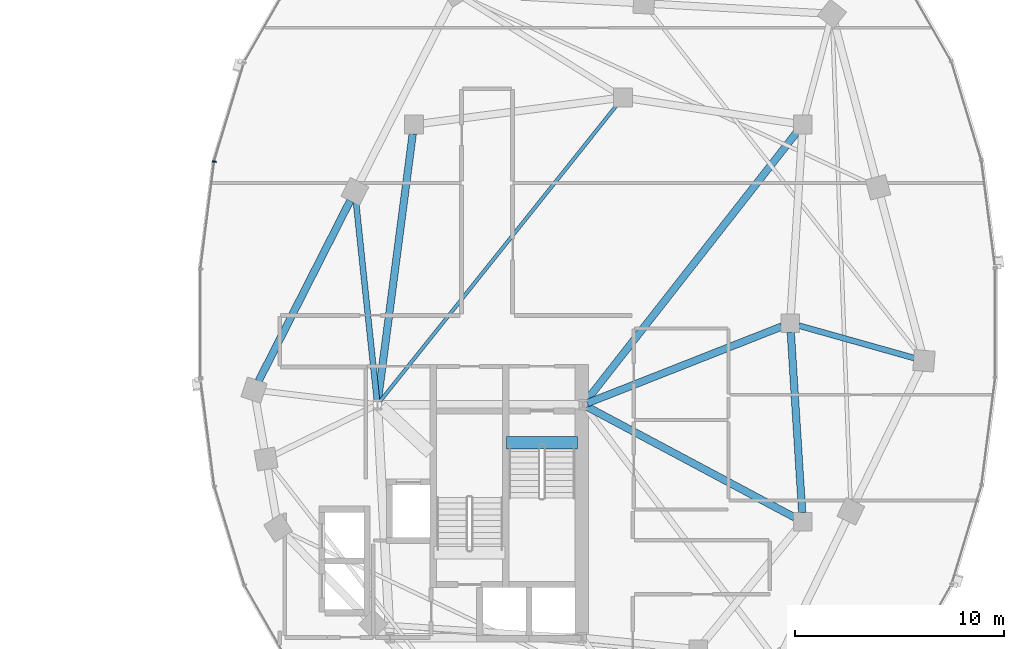
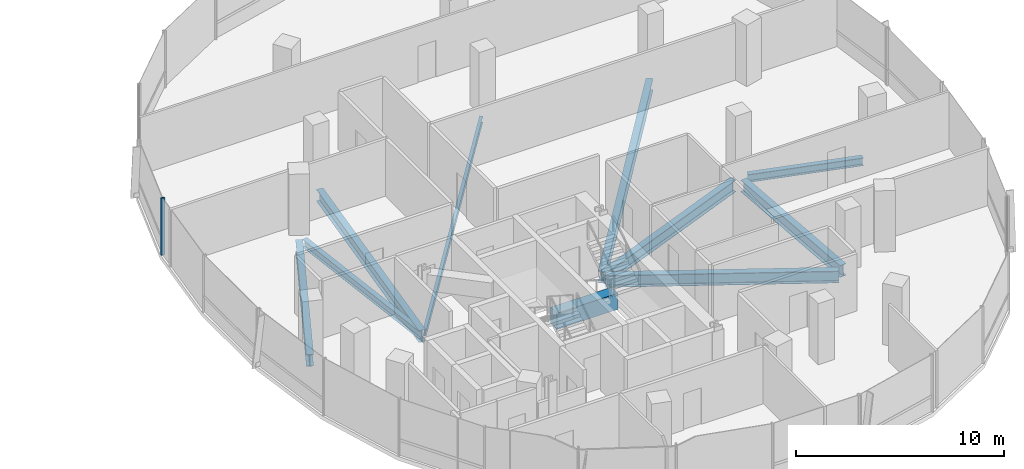
# One storey, part 7 of 23: 10 beams, 1 member, 1 element without a shape of its own.
"""IFC4 building model written with IfcOpenShell, lengths in metres."""

from ifc_helpers import new_model, si_unit, direction, frame, origin, origin_2d, place, context, subcontext, project, spatial, rectangle, i_section, extrude, material, material_profile, profile_set, type_object, element, aggregate, save


model = new_model("IFC4")

# Units and contexts
model_context = context("Model", 3, precision=1e-05, world=origin(), true_north=direction((0.0, 1.0)))
body_context = subcontext(model_context, "Body", "Model", "MODEL_VIEW")
ifc_project = project(units=[si_unit("LENGTHUNIT", "METRE"), si_unit("AREAUNIT", "SQUARE_METRE"), si_unit("VOLUMEUNIT", "CUBIC_METRE"), si_unit("PLANEANGLEUNIT", "RADIAN"), si_unit("MASSUNIT", "GRAM", prefix="KILO"), si_unit("THERMODYNAMICTEMPERATUREUNIT", "KELVIN"), si_unit("POWERUNIT", "WATT")], contexts=[model_context])

# Site, building, storey
site_placement = place(None, origin())
site = spatial("IfcSite", under=ifc_project, at=site_placement, CompositionType="ELEMENT")
building_placement = place(site_placement, origin())
building = spatial("IfcBuilding", under=site, at=building_placement, Name="Cundina Bronze Exchange", CompositionType="ELEMENT")
storey_placement = place(building_placement, frame((0.0, 0.0, 169.199951171875)))
storey = spatial("IfcBuildingStorey", under=building, at=storey_placement, Name="L44", CompositionType="ELEMENT", Elevation=169.199951171875)

# Beams
ifc_material_1 = material(Name="Concrete C60/75", Category="concrete")
ifc_material_profile_1 = material_profile(ifc_material_1, rectangle(XDim=0.60009765625, YDim=0.949951171875, at=origin_2d()), Name="RC600X950", Category="concrete")
ifc_profile_set_1 = profile_set([ifc_material_profile_1], Name="Concrete C60/75")
beam_type_1 = type_object("IfcBeamType", Name="BM-COUP-RC950", PredefinedType="LINTEL", material=ifc_profile_set_1)
beam_1_placement = place(storey_placement, frame((27.6201171875, -5.719970703125, -0.474853515625), z_axis=(1.0, 0.0, 0.0), x_axis=(0.0, 1.0, 0.0)))
element("IfcBeam", 1, at=beam_1_placement, inside=storey, type_object=beam_type_1, Name="L44 Stair E1 Landing Header Beam", PredefinedType="LINTEL", context=body_context, shape_type="SweptSolid", body=[
    extrude(rectangle(XDim=0.60009765625, YDim=0.949951171875, at=origin_2d()), origin(), (0.0, 0.0, 1.0), 3.39990234375),
])
ifc_material_2 = material(Name="Steel ASTM A992 Grade 50", Category="steel")
ifc_material_profile_2 = material_profile(ifc_material_2, i_section(OverallWidth=0.280029296875, OverallDepth=0.462890625, WebThickness=0.0107421875, FlangeThickness=0.017333984375, FilletRadius=0.011962890625, at=origin_2d()), Name="W18X76", Category="steel")
ifc_profile_set_2 = profile_set([ifc_material_profile_2], Name="Steel ASTM A992 Grade 50")
beam_type_2 = type_object("IfcBeamType", Name="BM-FLR-W18A", PredefinedType="BEAM", material=ifc_profile_set_2)
beam_2_placement = place(storey_placement, frame((41.62158203125, -0.11865234375, -0.471435546875), z_axis=(0.962649202648, -0.270751754643, 0.0), x_axis=(0.270751754643, 0.962649202648, 0.0)))
element("IfcBeam", 2, at=beam_2_placement, inside=storey, type_object=beam_type_2, Name="L44 Leg E Chordal Floor Beam 08", PredefinedType="BEAM", context=body_context, shape_type="SweptSolid", body=[
    extrude(i_section(OverallWidth=0.280029296875, OverallDepth=0.462890625, WebThickness=0.0107421875, FlangeThickness=0.017333984375, FilletRadius=0.011962890625, at=origin_2d()), origin(), (0.0, 0.0, 1.0), 5.72216796875),
])
beam_3_placement = place(storey_placement, frame((21.4287109375, -3.697021484375, -0.471435546875), z_axis=(-0.104834931651, 0.9944896365, 0.0), x_axis=(-0.9944896365, -0.104834931651, 0.0)))
element("IfcBeam", 3, at=beam_3_placement, inside=storey, type_object=beam_type_2, Name="L44 Leg E Chordal Floor Beam 13", PredefinedType="BEAM", context=body_context, shape_type="SweptSolid", body=[
    extrude(i_section(OverallWidth=0.280029296875, OverallDepth=0.462890625, WebThickness=0.0107421875, FlangeThickness=0.017333984375, FilletRadius=0.011962890625, at=origin_2d()), origin(), (0.0, 0.0, 1.0), 9.564453125),
])
ifc_material_profile_3 = material_profile(ifc_material_2, i_section(OverallWidth=0.172119140625, OverallDepth=0.35791015625, WebThickness=0.0078125, FlangeThickness=0.01318359375, FilletRadius=0.010009765625, at=origin_2d()), Name="W14X38", Category="steel")
ifc_profile_set_3 = profile_set([ifc_material_profile_3], Name="Steel ASTM A992 Grade 50")
beam_type_3 = type_object("IfcBeamType", Name="BM-JST-W14", PredefinedType="JOIST", material=ifc_profile_set_3)
beam_4_placement = place(storey_placement, frame((21.577392578125, -3.740478515625, -0.4189453125), z_axis=(0.624370675223, 0.781128196854, 0.0), x_axis=(-0.781128196854, 0.624370675223, 0.0)))
element("IfcBeam", 4, at=beam_4_placement, inside=storey, type_object=beam_type_3, Name="L44 E Interior Core-to-Ring Joist 2", PredefinedType="JOIST", context=body_context, shape_type="SweptSolid", body=[
    extrude(i_section(OverallWidth=0.172119140625, OverallDepth=0.35791015625, WebThickness=0.0078125, FlangeThickness=0.01318359375, FilletRadius=0.010009765625, at=origin_2d()), origin(), (0.0, 0.0, 1.0), 18.177001953125),
])
ifc_material_profile_4 = material_profile(ifc_material_2, i_section(OverallWidth=0.35498046875, OverallDepth=0.695068359375, WebThickness=0.015380859375, FlangeThickness=0.02490234375, FilletRadius=0.01806640625, at=origin_2d()), Name="W27X146", Category="steel")
ifc_profile_set_4 = profile_set([ifc_material_profile_4], Name="Steel ASTM A992 Grade 50")
beam_type_4 = type_object("IfcBeamType", Name="BM-RING-W27", PredefinedType="USERDEFINED", material=ifc_profile_set_4)
beam_5_placement = place(storey_placement, frame((41.7724609375, -9.06298828125, -0.58740234375), z_axis=(-0.063046519736, 0.998010589297, 0.0), x_axis=(-0.998010589297, -0.063046519736, 0.0)))
element("IfcBeam", 5, at=beam_5_placement, inside=storey, type_object=beam_type_4, Name="L44 E Inner Structural Ring Girder 03", ObjectType="GIRDER", PredefinedType="USERDEFINED", context=body_context, shape_type="SweptSolid", body=[
    extrude(i_section(OverallWidth=0.35498046875, OverallDepth=0.695068359375, WebThickness=0.015380859375, FlangeThickness=0.02490234375, FilletRadius=0.01806640625, at=origin_2d()), origin(), (0.0, 0.0, 1.0), 8.64306640625),
])
beam_6_placement = place(storey_placement, frame((23.143310546875, 9.065673828125, -0.58740234375), z_axis=(-0.129507030047, -0.991578503785, 0.0), x_axis=(0.991578503785, -0.129507030047, 0.0)))
element("IfcBeam", 6, at=beam_6_placement, inside=storey, type_object=beam_type_4, Name="L44 E Inner Structural Ring Girder 07", ObjectType="GIRDER", PredefinedType="USERDEFINED", context=body_context, shape_type="SweptSolid", body=[
    extrude(i_section(OverallWidth=0.35498046875, OverallDepth=0.695068359375, WebThickness=0.015380859375, FlangeThickness=0.02490234375, FilletRadius=0.01806640625, at=origin_2d()), origin(), (0.0, 0.0, 1.0), 12.871826171875),
])
beam_7_placement = place(storey_placement, frame((31.48974609375, -3.8251953125, -0.58740234375), z_axis=(0.930405617189, 0.36653156413, 0.0), x_axis=(-0.36653156413, 0.930405617189, 0.0)))
element("IfcBeam", 7, at=beam_7_placement, inside=storey, type_object=beam_type_4, Name="L44 E Core-to-Waist Tie Beam 1", ObjectType="GIRDER", PredefinedType="USERDEFINED", context=body_context, shape_type="SweptSolid", body=[
    extrude(i_section(OverallWidth=0.35498046875, OverallDepth=0.695068359375, WebThickness=0.015380859375, FlangeThickness=0.02490234375, FilletRadius=0.01806640625, at=origin_2d()), origin(), (0.0, 0.0, 1.0), 9.99853515625),
])
beam_8_placement = place(storey_placement, frame((31.47998046875, -3.99609375, -0.58740234375), z_axis=(0.88235534237, -0.470583733028, 0.0), x_axis=(0.470583733028, 0.88235534237, 0.0)))
element("IfcBeam", 8, at=beam_8_placement, inside=storey, type_object=beam_type_4, Name="L44 E Core-to-Waist Tie Beam 2", ObjectType="GIRDER", PredefinedType="USERDEFINED", context=body_context, shape_type="SweptSolid", body=[
    extrude(i_section(OverallWidth=0.35498046875, OverallDepth=0.695068359375, WebThickness=0.015380859375, FlangeThickness=0.02490234375, FilletRadius=0.01806640625, at=origin_2d()), origin(), (0.0, 0.0, 1.0), 11.258056640625),
])
beam_9_placement = place(storey_placement, frame((31.42578125, -3.739501953125, -0.58740234375), z_axis=(0.616779109924, 0.787136283982, 0.0), x_axis=(-0.787136283982, 0.616779109924, 0.0)))
element("IfcBeam", 9, at=beam_9_placement, inside=storey, type_object=beam_type_4, Name="L44 E Core-to-Waist Tie Beam 3", ObjectType="GIRDER", PredefinedType="USERDEFINED", context=body_context, shape_type="SweptSolid", body=[
    extrude(i_section(OverallWidth=0.35498046875, OverallDepth=0.695068359375, WebThickness=0.015380859375, FlangeThickness=0.02490234375, FilletRadius=0.01806640625, at=origin_2d()), origin(), (0.0, 0.0, 1.0), 16.3818359375),
])
beam_10_placement = place(storey_placement, frame((20.154052734375, 5.864990234375, -0.58740234375), z_axis=(-0.452834585354, -0.891594548159, 0.0), x_axis=(0.891594548159, -0.452834585354, 0.0)))
element("IfcBeam", 10, at=beam_10_placement, inside=storey, type_object=beam_type_4, Name="L44 E Perimeter Ring Girder 13", ObjectType="GIRDER", PredefinedType="USERDEFINED", context=body_context, shape_type="SweptSolid", body=[
    extrude(i_section(OverallWidth=0.35498046875, OverallDepth=0.695068359375, WebThickness=0.015380859375, FlangeThickness=0.02490234375, FilletRadius=0.01806640625, at=origin_2d()), origin(), (0.0, 0.0, 1.0), 9.67919921875),
])

# Curtain wall, member
ifc_material_3 = material(Name="Anodised Bronze Aluminium 6063-T6", Category="aluminium")
curtain_wall_type = type_object("IfcCurtainWallType", Name="CWS-WST-PIN", PredefinedType="NOTDEFINED", material=ifc_material_3)
curtain_wall_placement = place(storey_placement, origin())
curtain_wall = element("IfcCurtainWall", 11, at=curtain_wall_placement, inside=storey, type_object=curtain_wall_type, Name="L44 CW-04 Curtain Wall Run CWR-L44-E2", PredefinedType="NOTDEFINED")
ifc_material_profile_5 = material_profile(ifc_material_3, rectangle(XDim=0.070068359375, YDim=0.18994140625, at=origin_2d()), Name="AL70X190", Category="aluminium")
ifc_profile_set_5 = profile_set([ifc_material_profile_5], Name="Anodised Bronze Aluminium 6063-T6")
member_type = type_object("IfcMemberType", Name="CWM-MUL-190", PredefinedType="MULLION", material=ifc_profile_set_5)
member_placement = place(storey_placement, frame((13.642822265625, 7.731689453125, 0.0), z_axis=(0.0, 0.0, 1.0), x_axis=(-0.126545236492, -0.991960837494, 0.0)))
member = element("IfcMember", 12, at=member_placement, type_object=member_type, Name="CW-04 Mullion 6", PredefinedType="MULLION", context=body_context, shape_type="SweptSolid", body=[
    extrude(rectangle(XDim=0.070068359375, YDim=0.18994140625, at=origin_2d()), origin(), (0.0, 0.0, 1.0), 3.360107421875),
])
aggregate(curtain_wall, [member])

save(model, "model.ifc")
